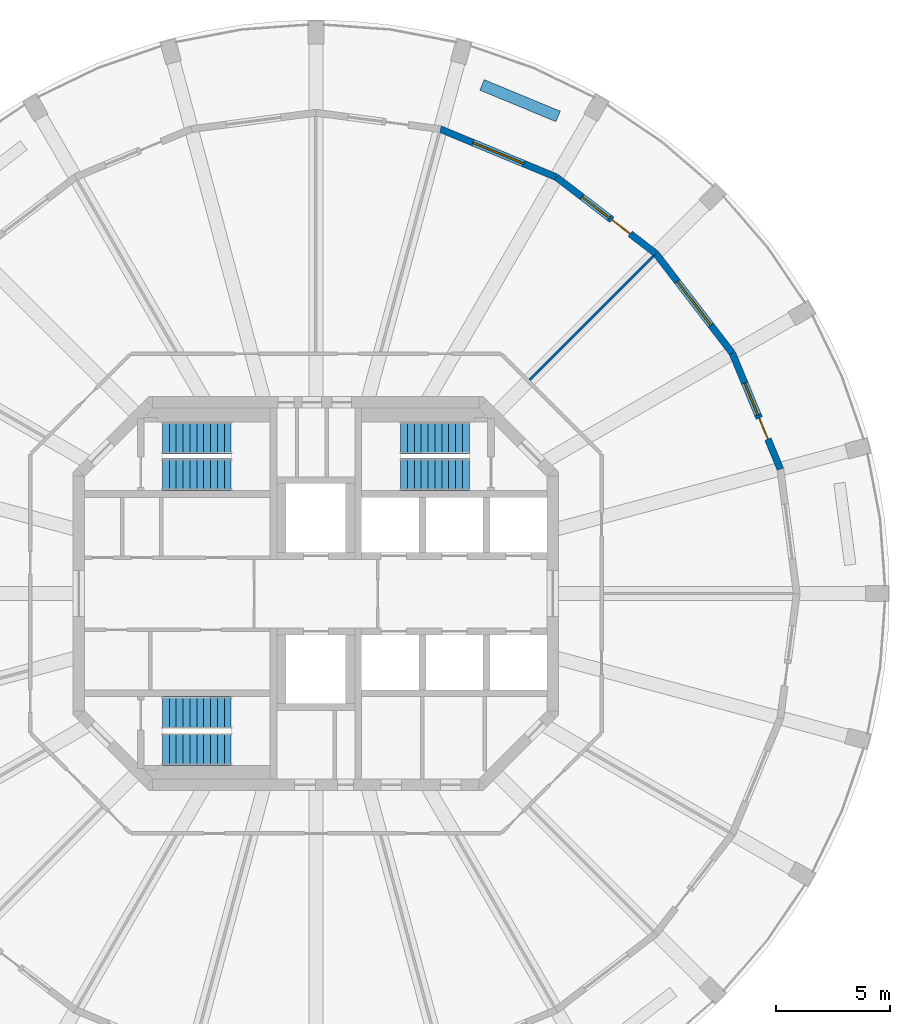
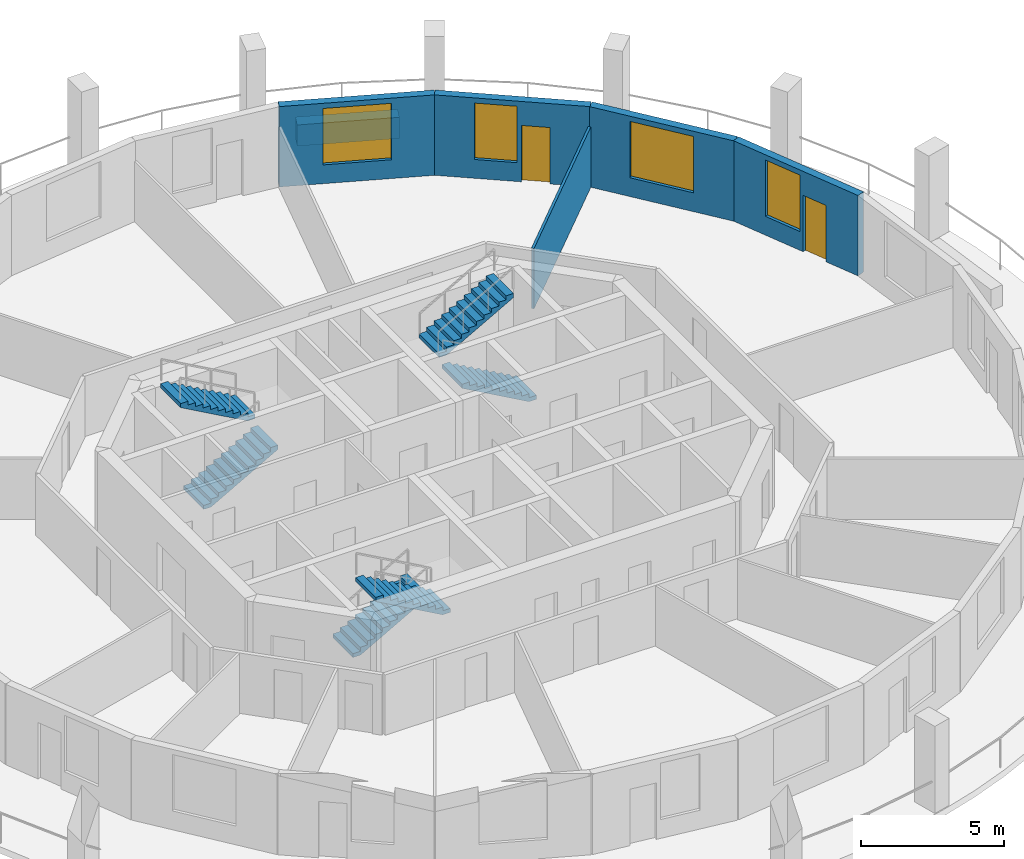
# One storey, part 6 of 8: 6 stair flights, 6 walls, 4 windows, 2 doors, 6 openings, 3 elements without a shape of their own.
"""IFC4 building model written with IfcOpenShell, lengths in metres."""

import ifcopenshell
import ifcopenshell.guid

model = None  # the IFC model being written
_history = None  # IfcOwnerHistory: only IFC2X3 demands one
_inside = {}  # id of a spatial element -> (the spatial element, [elements in it])
_under = {}  # id of a project, library or spatial element -> (it, [spatial elements below it])
_declared = {}  # id of a project -> (the project, [libraries it declares])
_typed = {}  # id of a type object -> (the type object, [elements of that type])
_made_of = {}  # id of a material, layer set ... -> (it, [elements and type objects made of it])


def new_model(schema):
    """Start an empty IFC model of exactly this schema.

    Asked for "IFC4X3", IfcOpenShell would pick the latest addendum, in which some entities
    have other attributes; the version numbers below select the first issue.
    IFC2X3 requires an IfcOwnerHistory on every rooted entity: one is made here for all.
    """
    global model, _history
    if schema == "IFC4X3":
        model = ifcopenshell.file(schema_version=(4, 3, 0, 0))
    else:
        model = ifcopenshell.file(schema=schema)
    _inside.clear()
    _under.clear()
    _declared.clear()
    _typed.clear()
    _made_of.clear()
    _history = None
    if model.schema == "IFC2X3":
        org = make("IfcOrganization", Name="unknown")
        user = make(
            "IfcPersonAndOrganization",
            ThePerson=make("IfcPerson", FamilyName="unknown"),
            TheOrganization=org,
        )
        app = make(
            "IfcApplication",
            ApplicationDeveloper=org,
            Version="unknown",
            ApplicationFullName="unknown",
            ApplicationIdentifier="unknown",
        )
        _history = make(
            "IfcOwnerHistory",
            OwningUser=user,
            OwningApplication=app,
            ChangeAction="ADDED",
            CreationDate=0,
        )
    return model


def make(cls, **values):
    """One entity of the class cls with the attributes given. An attribute that is None is left unset."""
    return model.create_entity(
        cls, **{name: value for name, value in values.items() if value is not None}
    )


def rooted(cls, **values):
    """An entity with a GlobalId (a new one), such as an element, a storey or a relation."""
    return make(cls, GlobalId=ifcopenshell.guid.new(), OwnerHistory=_history, **values)


def si_unit(unit_type, name, prefix=None):
    """IfcSIUnit, for example si_unit("LENGTHUNIT", "METRE", prefix="MILLI")."""
    return make("IfcSIUnit", UnitType=unit_type, Prefix=prefix, Name=name)


def assignment(units):
    """IfcUnitAssignment: the units of a project."""
    return None if units is None else make("IfcUnitAssignment", Units=units)


def point(xyz):
    """IfcCartesianPoint."""
    return None if xyz is None else make("IfcCartesianPoint", Coordinates=xyz)


def direction(xyz):
    """IfcDirection."""
    return None if xyz is None else make("IfcDirection", DirectionRatios=xyz)


def frame(location, z_axis=None, x_axis=None):
    """IfcAxis2Placement3D, a coordinate frame: its origin and axes. An axis left out is left unset."""
    return make(
        "IfcAxis2Placement3D",
        Location=point(location),
        Axis=direction(z_axis),
        RefDirection=direction(x_axis),
    )


def frame_2d(location, x_axis=None):
    """IfcAxis2Placement2D, a coordinate frame in the plane: its origin and x axis."""
    return make(
        "IfcAxis2Placement2D", Location=point(location), RefDirection=direction(x_axis)
    )


def origin():
    """The frame at (0, 0, 0) with its axes left unset."""
    return frame((0.0, 0.0, 0.0))


def place(relative_to, where):
    """IfcLocalPlacement: puts the frame where relative to a parent placement (None: the world)."""
    return make(
        "IfcLocalPlacement", PlacementRelTo=relative_to, RelativePlacement=where
    )


def context(
    kind, dimensions, precision=None, world=None, true_north=None, identifier=None
):
    """IfcGeometricRepresentationContext, for example the 3D "Model" context."""
    return make(
        "IfcGeometricRepresentationContext",
        ContextIdentifier=identifier,
        ContextType=kind,
        CoordinateSpaceDimension=dimensions,
        Precision=precision,
        WorldCoordinateSystem=world,
        TrueNorth=true_north,
    )


def subcontext(parent, identifier, kind, view, scale=None):
    """IfcGeometricRepresentationSubContext, for example "Body" below "Model"."""
    return make(
        "IfcGeometricRepresentationSubContext",
        ContextIdentifier=identifier,
        ContextType=kind,
        ParentContext=parent,
        TargetScale=scale,
        TargetView=view,
    )


def project(units=None, contexts=None):
    """IfcProject with its units and contexts."""
    return rooted(
        "IfcProject",
        Name="project",
        RepresentationContexts=contexts,
        UnitsInContext=assignment(units),
    )


def spatial(cls, under=None, at=None, **own):
    """A site, building, storey or space (cls), placed at a placement, below another one or the project."""
    s = rooted(cls, ObjectPlacement=at, **own)
    if under is not None:
        _under.setdefault(under.id(), (under, []))[1].append(s)
    return s


def polyline(points):
    """IfcPolyline through the points."""
    return make("IfcPolyline", Points=[point(p) for p in points])


def profile(cls, at=None, kind="AREA", **sizes):
    """A parametric profile (cls). Its sizes go by their IFC names, for example OverallWidth=200.0."""
    return make(cls, ProfileType=kind, Position=at, **sizes)


def rectangle(**sizes):
    """IfcRectangleProfileDef."""
    return profile("IfcRectangleProfileDef", **sizes)


def outline(outer, holes=None, kind="AREA"):
    """IfcArbitraryClosedProfileDef: a profile drawn as a closed curve; with holes, ...WithVoids."""
    if holes is None:
        return make("IfcArbitraryClosedProfileDef", ProfileType=kind, OuterCurve=outer)
    return make(
        "IfcArbitraryProfileDefWithVoids",
        ProfileType=kind,
        OuterCurve=outer,
        InnerCurves=holes,
    )


def extrude(swept, where, along, depth):
    """IfcExtrudedAreaSolid: the profile swept, set in the frame where, extruded along a direction by depth."""
    return make(
        "IfcExtrudedAreaSolid",
        SweptArea=swept,
        Position=where,
        ExtrudedDirection=direction(along),
        Depth=depth,
    )


def shape(context_of_items, identifier, shape_type, items):
    """IfcShapeRepresentation: the items that make up one representation, for example the "Body"."""
    return make(
        "IfcShapeRepresentation",
        ContextOfItems=context_of_items,
        RepresentationIdentifier=identifier,
        RepresentationType=shape_type,
        Items=items,
    )


def material(Name=None, Category=None):
    """IfcMaterial."""
    return make("IfcMaterial", Name=Name, Category=Category)


def layer(
    of_material, thickness, ventilated=None, Name=None, Category=None, Priority=None
):
    """IfcMaterialLayer: one layer of a wall or slab, of a material (None: an air gap)."""
    return make(
        "IfcMaterialLayer",
        Material=of_material,
        LayerThickness=thickness,
        IsVentilated=ventilated,
        Name=Name,
        Category=Category,
        Priority=Priority,
    )


def layer_set(layers, Name=None):
    """IfcMaterialLayerSet."""
    return make("IfcMaterialLayerSet", MaterialLayers=layers, LayerSetName=Name)


def made_of(thing, what):
    """Note that an element or type object is made of a material, layer set ...; save() writes the relation."""
    if what is not None:
        _made_of.setdefault(what.id(), (what, []))[1].append(thing)
    return thing


def type_object(cls, material=None, **own):
    """A type object (cls), such as IfcWallType, which elements share."""
    return made_of(rooted(cls, **own), material)


def element(
    cls,
    number,
    at=None,
    inside=None,
    cuts=None,
    type_object=None,
    material=None,
    context=None,
    identifier="Body",
    shape_type=None,
    held_by="IfcProductDefinitionShape",
    body=None,
    shapes=None,
    **own,
):
    """One element of the class cls, such as IfcWall. Its Tag is "e" and its number.

    at: its placement. inside: the storey or other place that contains it. cuts: it is an
    opening in that element (IfcRelVoidsElement). A single representation is given by context,
    identifier, shape_type and body (its items); several are given by shapes. held_by: the class
    of the entity that holds the representations. save() writes the other relations.
    """
    e = rooted(cls, Tag="e%d" % number, ObjectPlacement=at, **own)
    if body is not None:
        shapes = [shape(context, identifier, shape_type, body)]
    if shapes is not None:
        e.Representation = make(held_by, Representations=shapes)
    if inside is not None:
        _inside.setdefault(inside.id(), (inside, []))[1].append(e)
    if cuts is not None:
        rooted(
            "IfcRelVoidsElement", RelatingBuildingElement=cuts, RelatedOpeningElement=e
        )
    if type_object is not None:
        _typed.setdefault(type_object.id(), (type_object, []))[1].append(e)
    return made_of(e, material)


def fill(opening, filler):
    """IfcRelFillsElement: the door or window that sits in an opening."""
    return rooted(
        "IfcRelFillsElement",
        RelatingOpeningElement=opening,
        RelatedBuildingElement=filler,
    )


def aggregate(whole, parts):
    """IfcRelAggregates: a whole, such as a stair, and the parts it consists of."""
    return rooted("IfcRelAggregates", RelatingObject=whole, RelatedObjects=parts)


def save(model, path):
    """Write the relations noted so far, then the file.

    IfcRelAggregates (storeys below a building ...), IfcRelContainedInSpatialStructure (elements
    in a storey), IfcRelDefinesByType, IfcRelAssociatesMaterial and IfcRelDeclares: one each for
    every whole, place, type object, material and project.
    """
    for whole, parts in _under.values():
        aggregate(whole, parts)
    for where, things in _inside.values():
        rooted(
            "IfcRelContainedInSpatialStructure",
            RelatedElements=things,
            RelatingStructure=where,
        )
    for kind, things in _typed.values():
        rooted("IfcRelDefinesByType", RelatedObjects=things, RelatingType=kind)
    for what, things in _made_of.values():
        rooted("IfcRelAssociatesMaterial", RelatedObjects=things, RelatingMaterial=what)
    for by, libraries in _declared.values():
        rooted("IfcRelDeclares", RelatingContext=by, RelatedDefinitions=libraries)
    model.write(path)


model = new_model("IFC4")

# Units and contexts
model_context = context("Model", 3, precision=1e-05, world=origin(), true_north=direction((0.0, 1.0)))
body_context = subcontext(model_context, "Body", "Model", "MODEL_VIEW")
ifc_project = project(units=[si_unit("LENGTHUNIT", "METRE"), si_unit("AREAUNIT", "SQUARE_METRE"), si_unit("VOLUMEUNIT", "CUBIC_METRE"), si_unit("PLANEANGLEUNIT", "RADIAN"), si_unit("MASSUNIT", "GRAM", prefix="KILO")], contexts=[model_context])

# Site, building, storey
site_placement = place(None, origin())
site = spatial("IfcSite", under=ifc_project, at=site_placement, CompositionType="ELEMENT")
building_placement = place(site_placement, origin())
building = spatial("IfcBuilding", under=site, at=building_placement, Name="Torre Triforio", CompositionType="ELEMENT")
storey_placement = place(building_placement, frame((0.0, 0.0, 253.800048828125)))
storey = spatial("IfcBuildingStorey", under=building, at=storey_placement, Name="L58", CompositionType="ELEMENT", Elevation=253.800048828125)

# Walls
ifc_material_1 = material(Name="Plasterboard on metal studs")
ifc_layer_1 = layer(ifc_material_1, 0.10009765625)
ifc_layer_set_1 = layer_set([ifc_layer_1], Name="Plasterboard on metal studs")
wall_type_1 = type_object("IfcWallType", Name="Partition 100 mm board on metal studs", PredefinedType="PARTITIONING", material=ifc_layer_set_1)
wall_1_placement = place(storey_placement, frame((9.33251953125, 9.33251953125, 0.0), z_axis=(0.0, 0.0, 1.0), x_axis=(0.707106781187, 0.707106781187, 0.0)))
element("IfcWall", 1, at=wall_1_placement, inside=storey, type_object=wall_type_1, Name="Partition 10", PredefinedType="PARTITIONING", context=body_context, shape_type="SweptSolid", body=[
    extrude(rectangle(XDim=7.638671875, YDim=0.10009765625, at=frame_2d((3.8193359375, 0.0))), origin(), (0.0, 0.0, 1.0), 2.570068359375),
])
ifc_material_2 = material(Name="Limestone cladding", Category="masonry")
ifc_layer_2 = layer(ifc_material_2, 0.10009765625)
ifc_material_3 = material(Name="Concrete C40", Category="concrete")
ifc_layer_3 = layer(ifc_material_3, 0.39990234375)
ifc_layer_set_2 = layer_set([ifc_layer_2, ifc_layer_3], Name="Limestone cladding / Concrete C40")
wall_type_2 = type_object("IfcWallType", Name="Planter wall 500", PredefinedType="PARAPET", material=ifc_layer_set_2)
wall_2_placement = place(storey_placement, frame((10.57958984375, 20.837646484375, 0.0), z_axis=(0.0, 0.0, 1.0), x_axis=(-0.923909393783, 0.382611332921, 0.0)))
element("IfcWall", 2, at=wall_2_placement, inside=storey, type_object=wall_type_2, Name="Planter L58 bay 05", PredefinedType="PARAPET", context=body_context, shape_type="SweptSolid", body=[
    extrude(rectangle(XDim=3.60009765625, YDim=0.5, at=frame_2d((1.800048828125, 0.0))), origin(), (0.0, 0.0, 1.0), 0.89990234375),
])

# Wall, openings, door, window
ifc_layer_4 = layer(ifc_material_2, 0.10009765625)
ifc_layer_5 = layer(ifc_material_3, 0.199951171875)
ifc_layer_set_3 = layer_set([ifc_layer_4, ifc_layer_5], Name="Limestone cladding / Concrete C40")
wall_type_3 = type_object("IfcWallType", Name="Stone-faced composite wall 300", PredefinedType="STANDARD", material=ifc_layer_set_3)
wall_3_placement = place(storey_placement, frame((20.284423828125, 5.435302734375, 0.0), z_axis=(0.0, 0.0, 1.0), x_axis=(-0.382688740813, 0.923877333662, 0.0)))
wall_3 = element("IfcWall", 3, at=wall_3_placement, inside=storey, type_object=wall_type_3, Name="External wall L58 bay 02", PredefinedType="STANDARD", context=body_context, shape_type="SweptSolid", body=[
    extrude(rectangle(XDim=5.48193359375, YDim=0.300048828125, at=frame_2d((2.740966796875, 0.0))), origin(), (0.0, 0.0, 1.0), 3.419921875),
])
opening_1_placement = place(wall_3_placement, frame((1.416015625, 0.0, 0.0)))
opening_1 = element("IfcOpeningElement", 4, at=opening_1_placement, cuts=wall_3, Name="Opening E1-D02", PredefinedType="OPENING", context=body_context, shape_type="SweptSolid", body=[
    extrude(rectangle(XDim=1.0, YDim=2.39990234375, at=frame_2d((0.5, 1.199951171875))), frame((0.0, 0.159912109375, 0.0), z_axis=(0.0, -1.0, 0.0), x_axis=(1.0, 0.0, 0.0)), (0.0, 0.0, 1.0), 0.320068359375),
])
opening_2_placement = place(wall_3_placement, frame((2.566162109375, 0.0, 0.800048828125)))
opening_2 = element("IfcOpeningElement", 5, at=opening_2_placement, cuts=wall_3, Name="Opening E1-W02A", PredefinedType="OPENING", context=body_context, shape_type="SweptSolid", body=[
    extrude(rectangle(XDim=1.5, YDim=2.39990234375, at=frame_2d((0.75, 1.199951171875))), frame((0.0, 0.159912109375, 0.0), z_axis=(0.0, -1.0, 0.0), x_axis=(1.0, 0.0, 0.0)), (0.0, 0.0, 1.0), 0.320068359375),
])
ifc_material_4 = material(Name="Aluminium frame with clear double glazing", Category="aluminium")
door_type = type_object("IfcDoorType", Name="Loggia door 1000 x 2400", OperationType="NOTDEFINED", PredefinedType="DOOR", material=ifc_material_4)
door_1_placement = place(opening_1_placement, origin())
door_1 = element("IfcDoor", 6, at=door_1_placement, inside=storey, type_object=door_type, Name="Loggia door L58 bay 02", OperationType="SINGLE_SWING_LEFT", OverallHeight=2.39990234375, OverallWidth=1.0, PredefinedType="DOOR", context=body_context, shape_type="SweptSolid", body=[
    extrude(rectangle(XDim=1.0, YDim=2.39990234375, at=frame_2d((0.5, 1.199951171875))), frame((0.0, 0.02490234375, 0.0), z_axis=(0.0, -1.0, 0.0), x_axis=(1.0, 0.0, 0.0)), (0.0, 0.0, 1.0), 0.050048828125),
])
fill(opening_1, door_1)
window_type_1 = type_object("IfcWindowType", Name="Side window 1500 x 2400", PartitioningType="SINGLE_PANEL", PredefinedType="WINDOW", material=ifc_material_4)
window_1_placement = place(opening_2_placement, origin())
window_1 = element("IfcWindow", 7, at=window_1_placement, inside=storey, type_object=window_type_1, Name="Side window EWN14 L58 bay 02", OverallHeight=2.39990234375, OverallWidth=1.5, PartitioningType="SINGLE_PANEL", PredefinedType="WINDOW", context=body_context, shape_type="SweptSolid", body=[
    extrude(rectangle(XDim=1.5, YDim=2.39990234375, at=frame_2d((0.75, 1.199951171875))), frame((0.0, 0.030029296875, 0.0), z_axis=(0.0, -1.0, 0.0), x_axis=(1.0, 0.0, 0.0)), (0.0, 0.0, 1.0), 0.06005859375),
])
fill(opening_2, window_1)

# Wall, opening, window
wall_4_placement = place(storey_placement, frame((18.1865234375, 10.5, 0.0), z_axis=(0.0, 0.0, 1.0), x_axis=(-0.608784891166, 0.793335336593, 0.0)))
wall_4 = element("IfcWall", 8, at=wall_4_placement, inside=storey, type_object=wall_type_3, Name="External wall L58 bay 03", PredefinedType="STANDARD", context=body_context, shape_type="SweptSolid", body=[
    extrude(rectangle(XDim=5.482177734375, YDim=0.300048828125, at=frame_2d((2.7412109375, 0.0))), origin(), (0.0, 0.0, 1.0), 3.419921875),
])
opening_3_placement = place(wall_4_placement, frame((1.541015625, 0.0, 0.800048828125)))
opening_3 = element("IfcOpeningElement", 9, at=opening_3_placement, cuts=wall_4, Name="Opening E1-W03", PredefinedType="OPENING", context=body_context, shape_type="SweptSolid", body=[
    extrude(rectangle(XDim=2.39990234375, YDim=2.39990234375, at=frame_2d((1.199951171875, 1.199951171875))), frame((0.0, 0.159912109375, 0.0), z_axis=(0.0, -1.0, 0.0), x_axis=(1.0, 0.0, 0.0)), (0.0, 0.0, 1.0), 0.320068359375),
])
window_type_2 = type_object("IfcWindowType", Name="Punched window 2400 x 2400", PartitioningType="DOUBLE_PANEL_VERTICAL", PredefinedType="WINDOW", material=ifc_material_4)
window_2_placement = place(opening_3_placement, origin())
window_2 = element("IfcWindow", 10, at=window_2_placement, inside=storey, type_object=window_type_2, Name="Window EWN4 L58 bay 03", OverallHeight=2.39990234375, OverallWidth=2.39990234375, PartitioningType="SINGLE_PANEL", PredefinedType="WINDOW", context=body_context, shape_type="SweptSolid", body=[
    extrude(rectangle(XDim=2.39990234375, YDim=2.39990234375, at=frame_2d((1.199951171875, 1.199951171875))), frame((0.0, 0.030029296875, 0.0), z_axis=(0.0, -1.0, 0.0), x_axis=(1.0, 0.0, 0.0)), (0.0, 0.0, 1.0), 0.06005859375),
])
fill(opening_3, window_2)

# Wall, openings, door, window
wall_5_placement = place(storey_placement, frame((14.84912109375, 14.84912109375, 0.0), z_axis=(0.0, 0.0, 1.0), x_axis=(-0.793335336593, 0.608784891166, 0.0)))
wall_5 = element("IfcWall", 11, at=wall_5_placement, inside=storey, type_object=wall_type_3, Name="External wall L58 bay 04", PredefinedType="STANDARD", context=body_context, shape_type="SweptSolid", body=[
    extrude(rectangle(XDim=5.482177734375, YDim=0.300048828125, at=frame_2d((2.7412109375, 0.0))), origin(), (0.0, 0.0, 1.0), 3.419921875),
])
opening_4_placement = place(wall_5_placement, frame((1.416015625, 0.0, 0.0)))
opening_4 = element("IfcOpeningElement", 12, at=opening_4_placement, cuts=wall_5, Name="Opening E1-D04", PredefinedType="OPENING", context=body_context, shape_type="SweptSolid", body=[
    extrude(rectangle(XDim=1.0, YDim=2.39990234375, at=frame_2d((0.5, 1.199951171875))), frame((0.0, 0.159912109375, 0.0), z_axis=(0.0, -1.0, 0.0), x_axis=(1.0, 0.0, 0.0)), (0.0, 0.0, 1.0), 0.320068359375),
])
opening_5_placement = place(wall_5_placement, frame((2.56591796875, 0.0, 0.800048828125)))
opening_5 = element("IfcOpeningElement", 13, at=opening_5_placement, cuts=wall_5, Name="Opening E1-W04A", PredefinedType="OPENING", context=body_context, shape_type="SweptSolid", body=[
    extrude(rectangle(XDim=1.5, YDim=2.39990234375, at=frame_2d((0.75, 1.199951171875))), frame((0.0, 0.159912109375, 0.0), z_axis=(0.0, -1.0, 0.0), x_axis=(1.0, 0.0, 0.0)), (0.0, 0.0, 1.0), 0.320068359375),
])
door_2_placement = place(opening_4_placement, origin())
door_2 = element("IfcDoor", 14, at=door_2_placement, inside=storey, type_object=door_type, Name="Loggia door L58 bay 04", OperationType="SINGLE_SWING_LEFT", OverallHeight=2.39990234375, OverallWidth=1.0, PredefinedType="DOOR", context=body_context, shape_type="SweptSolid", body=[
    extrude(rectangle(XDim=1.0, YDim=2.39990234375, at=frame_2d((0.5, 1.199951171875))), frame((0.0, 0.02490234375, 0.0), z_axis=(0.0, -1.0, 0.0), x_axis=(1.0, 0.0, 0.0)), (0.0, 0.0, 1.0), 0.050048828125),
])
fill(opening_4, door_2)
window_3_placement = place(opening_5_placement, origin())
window_3 = element("IfcWindow", 15, at=window_3_placement, inside=storey, type_object=window_type_1, Name="Side window EWN14 L58 bay 04", OverallHeight=2.39990234375, OverallWidth=1.5, PartitioningType="SINGLE_PANEL", PredefinedType="WINDOW", context=body_context, shape_type="SweptSolid", body=[
    extrude(rectangle(XDim=1.5, YDim=2.39990234375, at=frame_2d((0.75, 1.199951171875))), frame((0.0, 0.030029296875, 0.0), z_axis=(0.0, -1.0, 0.0), x_axis=(1.0, 0.0, 0.0)), (0.0, 0.0, 1.0), 0.06005859375),
])
fill(opening_5, window_3)

# Wall, opening, window
wall_6_placement = place(storey_placement, frame((10.5, 18.1865234375, 0.0), z_axis=(0.0, 0.0, 1.0), x_axis=(-0.923877333662, 0.382688740813, 0.0)))
wall_6 = element("IfcWall", 16, at=wall_6_placement, inside=storey, type_object=wall_type_3, Name="External wall L58 bay 05", PredefinedType="STANDARD", context=body_context, shape_type="SweptSolid", body=[
    extrude(rectangle(XDim=5.48193359375, YDim=0.300048828125, at=frame_2d((2.740966796875, 0.0))), origin(), (0.0, 0.0, 1.0), 3.419921875),
])
opening_6_placement = place(wall_6_placement, frame((1.541015625, 0.0, 0.800048828125)))
opening_6 = element("IfcOpeningElement", 17, at=opening_6_placement, cuts=wall_6, Name="Opening E1-W05", PredefinedType="OPENING", context=body_context, shape_type="SweptSolid", body=[
    extrude(rectangle(XDim=2.39990234375, YDim=2.39990234375, at=frame_2d((1.199951171875, 1.199951171875))), frame((0.0, 0.159912109375, 0.0), z_axis=(0.0, -1.0, 0.0), x_axis=(1.0, 0.0, 0.0)), (0.0, 0.0, 1.0), 0.320068359375),
])
window_4_placement = place(opening_6_placement, origin())
window_4 = element("IfcWindow", 18, at=window_4_placement, inside=storey, type_object=window_type_2, Name="Window EWN4 L58 bay 05", OverallHeight=2.39990234375, OverallWidth=2.39990234375, PartitioningType="SINGLE_PANEL", PredefinedType="WINDOW", context=body_context, shape_type="SweptSolid", body=[
    extrude(rectangle(XDim=2.39990234375, YDim=2.39990234375, at=frame_2d((1.199951171875, 1.199951171875))), frame((0.0, 0.030029296875, 0.0), z_axis=(0.0, -1.0, 0.0), x_axis=(1.0, 0.0, 0.0)), (0.0, 0.0, 1.0), 0.06005859375),
])
fill(opening_6, window_4)

# Stair, stair flights
stair_type = type_object("IfcStairType", Name="STAIR HALF-TURN", PredefinedType="HALF_TURN_STAIR", material=ifc_material_3)
stair_1_placement = place(storey_placement, origin())
stair_1 = element("IfcStair", 19, at=stair_1_placement, inside=storey, type_object=stair_type, Name="Exit stair 1", PredefinedType="HALF_TURN_STAIR")
stair_flight_type = type_object("IfcStairFlightType", Name="STAIR FLIGHT 1400", PredefinedType="STRAIGHT", material=ifc_material_3)
stair_flight_1_placement = place(storey_placement, frame((-6.699951171875, 5.199951171875, 0.0), z_axis=(0.0, 0.0, 1.0), x_axis=(1.0, 0.0, 0.0)))
stair_flight_1 = element("IfcStairFlight", 20, at=stair_flight_1_placement, type_object=stair_flight_type, Name="ST1 flight 1", NumberOfRisers=11, NumberOfTreads=10, PredefinedType="STRAIGHT", RiserHeight=0.168181818, TreadLength=0.3, context=body_context, shape_type="SweptSolid", body=[
    extrude(outline(polyline([(0.0, 0.0), (0.0, 0.168212890625), (0.300048828125, 0.168212890625), (0.300048828125, 0.33642578125), (0.60009765625, 0.33642578125), (0.60009765625, 0.504638671875), (0.89990234375, 0.504638671875), (0.89990234375, 0.672607421875), (1.199951171875, 0.672607421875), (1.199951171875, 0.8408203125), (1.5, 0.8408203125), (1.5, 1.009033203125), (1.800048828125, 1.009033203125), (1.800048828125, 1.17724609375), (2.10009765625, 1.17724609375), (2.10009765625, 1.345458984375), (2.39990234375, 1.345458984375), (2.39990234375, 1.513671875), (2.699951171875, 1.513671875), (2.699951171875, 1.681884765625), (3.0, 1.681884765625), (3.0, 1.85009765625), (3.0, 1.510009765625), (0.306640625, 0.0), (0.0, 0.0)])), frame((0.0, 0.699951171875, 0.0), z_axis=(0.0, -1.0, 0.0), x_axis=(1.0, 0.0, 0.0)), (0.0, 0.0, 1.0), 1.39990234375),
])
stair_flight_2_placement = place(storey_placement, frame((-3.699951171875, 6.800048828125, 1.849853515625), z_axis=(0.0, 0.0, 1.0), x_axis=(-1.0, 0.0, 0.0)))
stair_flight_2 = element("IfcStairFlight", 21, at=stair_flight_2_placement, type_object=stair_flight_type, Name="ST1 flight 2", NumberOfRisers=11, NumberOfTreads=10, PredefinedType="STRAIGHT", RiserHeight=0.168181818, TreadLength=0.3, context=body_context, shape_type="SweptSolid", body=[
    extrude(outline(polyline([(0.0, 0.0), (0.0, 0.168212890625), (0.300048828125, 0.168212890625), (0.300048828125, 0.33642578125), (0.60009765625, 0.33642578125), (0.60009765625, 0.504638671875), (0.89990234375, 0.504638671875), (0.89990234375, 0.672607421875), (1.199951171875, 0.672607421875), (1.199951171875, 0.8408203125), (1.5, 0.8408203125), (1.5, 1.009033203125), (1.800048828125, 1.009033203125), (1.800048828125, 1.17724609375), (2.10009765625, 1.17724609375), (2.10009765625, 1.345458984375), (2.39990234375, 1.345458984375), (2.39990234375, 1.513671875), (2.699951171875, 1.513671875), (2.699951171875, 1.681884765625), (3.0, 1.681884765625), (3.0, 1.85009765625), (3.0, 1.510009765625), (0.306640625, 0.0), (0.0, 0.0)])), frame((0.0, 0.699951171875, 0.0), z_axis=(0.0, -1.0, 0.0), x_axis=(1.0, 0.0, 0.0)), (0.0, 0.0, 1.0), 1.39990234375),
])
aggregate(stair_1, [stair_flight_1, stair_flight_2])

stair_2_placement = place(storey_placement, origin())
stair_2 = element("IfcStair", 22, at=stair_2_placement, inside=storey, type_object=stair_type, Name="Exit stair 2", PredefinedType="HALF_TURN_STAIR")
stair_flight_3_placement = place(storey_placement, frame((6.699951171875, 5.199951171875, 0.0), z_axis=(0.0, 0.0, 1.0), x_axis=(-1.0, 0.0, 0.0)))
stair_flight_3 = element("IfcStairFlight", 23, at=stair_flight_3_placement, type_object=stair_flight_type, Name="ST2 flight 1", NumberOfRisers=11, NumberOfTreads=10, PredefinedType="STRAIGHT", RiserHeight=0.168181818, TreadLength=0.3, context=body_context, shape_type="SweptSolid", body=[
    extrude(outline(polyline([(0.0, 0.0), (0.0, 0.168212890625), (0.300048828125, 0.168212890625), (0.300048828125, 0.33642578125), (0.60009765625, 0.33642578125), (0.60009765625, 0.504638671875), (0.89990234375, 0.504638671875), (0.89990234375, 0.672607421875), (1.199951171875, 0.672607421875), (1.199951171875, 0.8408203125), (1.5, 0.8408203125), (1.5, 1.009033203125), (1.800048828125, 1.009033203125), (1.800048828125, 1.17724609375), (2.10009765625, 1.17724609375), (2.10009765625, 1.345458984375), (2.39990234375, 1.345458984375), (2.39990234375, 1.513671875), (2.699951171875, 1.513671875), (2.699951171875, 1.681884765625), (3.0, 1.681884765625), (3.0, 1.85009765625), (3.0, 1.510009765625), (0.306640625, 0.0), (0.0, 0.0)])), frame((0.0, 0.699951171875, 0.0), z_axis=(0.0, -1.0, 0.0), x_axis=(1.0, 0.0, 0.0)), (0.0, 0.0, 1.0), 1.39990234375),
])
stair_flight_4_placement = place(storey_placement, frame((3.699951171875, 6.800048828125, 1.849853515625), z_axis=(0.0, 0.0, 1.0), x_axis=(1.0, 0.0, 0.0)))
stair_flight_4 = element("IfcStairFlight", 24, at=stair_flight_4_placement, type_object=stair_flight_type, Name="ST2 flight 2", NumberOfRisers=11, NumberOfTreads=10, PredefinedType="STRAIGHT", RiserHeight=0.168181818, TreadLength=0.3, context=body_context, shape_type="SweptSolid", body=[
    extrude(outline(polyline([(0.0, 0.0), (0.0, 0.168212890625), (0.300048828125, 0.168212890625), (0.300048828125, 0.33642578125), (0.60009765625, 0.33642578125), (0.60009765625, 0.504638671875), (0.89990234375, 0.504638671875), (0.89990234375, 0.672607421875), (1.199951171875, 0.672607421875), (1.199951171875, 0.8408203125), (1.5, 0.8408203125), (1.5, 1.009033203125), (1.800048828125, 1.009033203125), (1.800048828125, 1.17724609375), (2.10009765625, 1.17724609375), (2.10009765625, 1.345458984375), (2.39990234375, 1.345458984375), (2.39990234375, 1.513671875), (2.699951171875, 1.513671875), (2.699951171875, 1.681884765625), (3.0, 1.681884765625), (3.0, 1.85009765625), (3.0, 1.510009765625), (0.306640625, 0.0), (0.0, 0.0)])), frame((0.0, 0.699951171875, 0.0), z_axis=(0.0, -1.0, 0.0), x_axis=(1.0, 0.0, 0.0)), (0.0, 0.0, 1.0), 1.39990234375),
])
aggregate(stair_2, [stair_flight_3, stair_flight_4])

stair_3_placement = place(storey_placement, origin())
stair_3 = element("IfcStair", 25, at=stair_3_placement, inside=storey, type_object=stair_type, Name="Exit stair 3", PredefinedType="HALF_TURN_STAIR")
stair_flight_5_placement = place(storey_placement, frame((-6.699951171875, -5.199951171875, 0.0), z_axis=(0.0, 0.0, 1.0), x_axis=(1.0, 0.0, 0.0)))
stair_flight_5 = element("IfcStairFlight", 26, at=stair_flight_5_placement, type_object=stair_flight_type, Name="ST3 flight 1", NumberOfRisers=11, NumberOfTreads=10, PredefinedType="STRAIGHT", RiserHeight=0.168181818, TreadLength=0.3, context=body_context, shape_type="SweptSolid", body=[
    extrude(outline(polyline([(0.0, 0.0), (0.0, 0.168212890625), (0.300048828125, 0.168212890625), (0.300048828125, 0.33642578125), (0.60009765625, 0.33642578125), (0.60009765625, 0.504638671875), (0.89990234375, 0.504638671875), (0.89990234375, 0.672607421875), (1.199951171875, 0.672607421875), (1.199951171875, 0.8408203125), (1.5, 0.8408203125), (1.5, 1.009033203125), (1.800048828125, 1.009033203125), (1.800048828125, 1.17724609375), (2.10009765625, 1.17724609375), (2.10009765625, 1.345458984375), (2.39990234375, 1.345458984375), (2.39990234375, 1.513671875), (2.699951171875, 1.513671875), (2.699951171875, 1.681884765625), (3.0, 1.681884765625), (3.0, 1.85009765625), (3.0, 1.510009765625), (0.306640625, 0.0), (0.0, 0.0)])), frame((0.0, 0.699951171875, 0.0), z_axis=(0.0, -1.0, 0.0), x_axis=(1.0, 0.0, 0.0)), (0.0, 0.0, 1.0), 1.39990234375),
])
stair_flight_6_placement = place(storey_placement, frame((-3.699951171875, -6.800048828125, 1.849853515625), z_axis=(0.0, 0.0, 1.0), x_axis=(-1.0, 0.0, 0.0)))
stair_flight_6 = element("IfcStairFlight", 27, at=stair_flight_6_placement, type_object=stair_flight_type, Name="ST3 flight 2", NumberOfRisers=11, NumberOfTreads=10, PredefinedType="STRAIGHT", RiserHeight=0.168181818, TreadLength=0.3, context=body_context, shape_type="SweptSolid", body=[
    extrude(outline(polyline([(0.0, 0.0), (0.0, 0.168212890625), (0.300048828125, 0.168212890625), (0.300048828125, 0.33642578125), (0.60009765625, 0.33642578125), (0.60009765625, 0.504638671875), (0.89990234375, 0.504638671875), (0.89990234375, 0.672607421875), (1.199951171875, 0.672607421875), (1.199951171875, 0.8408203125), (1.5, 0.8408203125), (1.5, 1.009033203125), (1.800048828125, 1.009033203125), (1.800048828125, 1.17724609375), (2.10009765625, 1.17724609375), (2.10009765625, 1.345458984375), (2.39990234375, 1.345458984375), (2.39990234375, 1.513671875), (2.699951171875, 1.513671875), (2.699951171875, 1.681884765625), (3.0, 1.681884765625), (3.0, 1.85009765625), (3.0, 1.510009765625), (0.306640625, 0.0), (0.0, 0.0)])), frame((0.0, 0.699951171875, 0.0), z_axis=(0.0, -1.0, 0.0), x_axis=(1.0, 0.0, 0.0)), (0.0, 0.0, 1.0), 1.39990234375),
])
aggregate(stair_3, [stair_flight_5, stair_flight_6])

save(model, "model.ifc")
